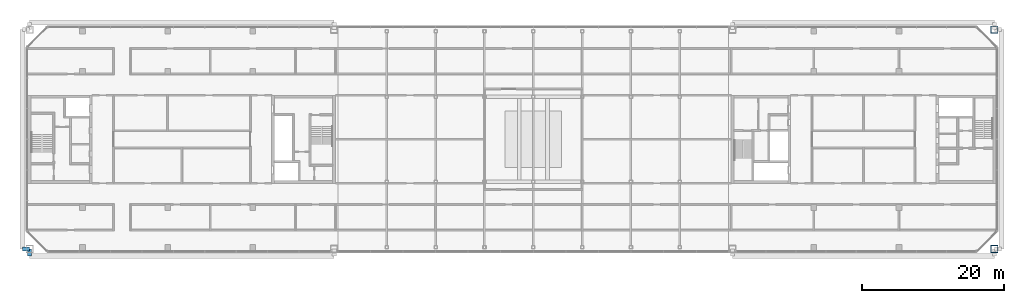
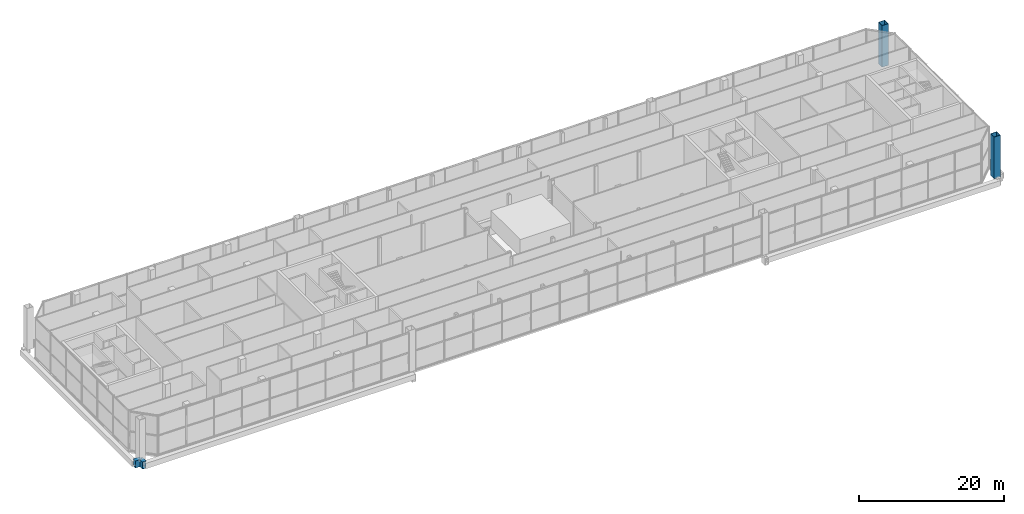
# One storey, part 3 of 27: 2 beams, 2 columns.
"""IFC4 building model written with IfcOpenShell, lengths in metres."""

from ifc_helpers import new_model, si_unit, direction, frame, origin, origin_2d, place, context, subcontext, project, spatial, hollow_rectangle, extrude, material, material_profile, profile_set, type_object, element, save


model = new_model("IFC4")

# Units and contexts
model_context = context("Model", 3, precision=1e-05, world=origin(), true_north=direction((0.0, 1.0)))
body_context = subcontext(model_context, "Body", "Model", "MODEL_VIEW")
ifc_project = project(units=[si_unit("LENGTHUNIT", "METRE"), si_unit("AREAUNIT", "SQUARE_METRE"), si_unit("VOLUMEUNIT", "CUBIC_METRE"), si_unit("PLANEANGLEUNIT", "RADIAN"), si_unit("MASSUNIT", "GRAM", prefix="KILO")], contexts=[model_context])

# Site, building, storey
site_placement = place(None, origin())
site = spatial("IfcSite", under=ifc_project, at=site_placement, CompositionType="ELEMENT")
building_placement = place(site_placement, origin())
building = spatial("IfcBuilding", under=site, at=building_placement, Name="Tuart Gate Housing", CompositionType="ELEMENT")
storey_placement = place(building_placement, frame((0.0, 0.0, 236.89990234375)))
storey = spatial("IfcBuildingStorey", under=building, at=storey_placement, Name="L67", CompositionType="ELEMENT", Elevation=236.89990234375)

# Columns
ifc_material_1 = material(Name="Steel Grade 350", Category="steel")
ifc_material_profile_1 = material_profile(ifc_material_1, hollow_rectangle(XDim=1.0, YDim=1.0, WallThickness=0.054931640625, at=origin_2d()), Name="BOX 1000x1000x55")
ifc_profile_set_1 = profile_set([ifc_material_profile_1], Name="Steel Grade 350")
column_type = type_object("IfcColumnType", Name="Mega column BOX 1000x1000x55 (6.2-7.0 m)", PredefinedType="COLUMN", material=ifc_profile_set_1)
for number, where, z_axis, x_axis, name in (
    (1, (168.449951171875, 54.550048828125, 0.0), (0.0, 0.0, 1.0), (1.0, 0.0, 0.0), "Mega column B south-east L67"),
    (2, (168.449951171875, 85.449951171875, 0.0), (0.0, 0.0, 1.0), (1.0, 0.0, 0.0), "Mega column B north-east L67"),
):
    element("IfcColumn", number, at=place(storey_placement, frame(where, z_axis=z_axis, x_axis=x_axis)), inside=storey, type_object=column_type, Name=name, PredefinedType="COLUMN", context=body_context, shape_type="SweptSolid", body=[
        extrude(hollow_rectangle(XDim=1.0, YDim=1.0, WallThickness=0.054931640625, at=origin_2d()), origin(), (0.0, 0.0, 1.0), 7.0),
    ])

# Beams
ifc_material_2 = material(Name="Steel Grade 350", Category="steel")
ifc_material_profile_2 = material_profile(ifc_material_2, hollow_rectangle(XDim=0.60009765625, YDim=1.199951171875, WallThickness=0.0400390625, at=origin_2d()), Name="BOX 1200x600x40")
ifc_profile_set_2 = profile_set([ifc_material_profile_2], Name="Steel Grade 350")
beam_type = type_object("IfcBeamType", Name="Brace shoe BOX 1200x600x40", PredefinedType="BEAM", material=ifc_profile_set_2)
for number, where, z_axis, x_axis, name in (
    (3, (32.550048828125, 54.550048828125, -0.39990234375), (0.0, -1.0, 0.0), (1.0, 0.0, 0.0), "Mega tie beam A node 8 south shoe 0 L67"),
    (4, (32.550048828125, 54.550048828125, -0.39990234375), (-1.0, 0.0, 0.0), (0.0, -1.0, 0.0), "Mega tie beam A node 8 west shoe 0 L67"),
):
    element("IfcBeam", number, at=place(storey_placement, frame(where, z_axis=z_axis, x_axis=x_axis)), inside=storey, type_object=beam_type, Name=name, PredefinedType="BEAM", context=body_context, shape_type="SweptSolid", body=[
        extrude(hollow_rectangle(XDim=0.60009765625, YDim=1.199951171875, WallThickness=0.0400390625, at=origin_2d()), origin(), (0.0, 0.0, 1.0), 1.0),
    ])

save(model, "model.ifc")
